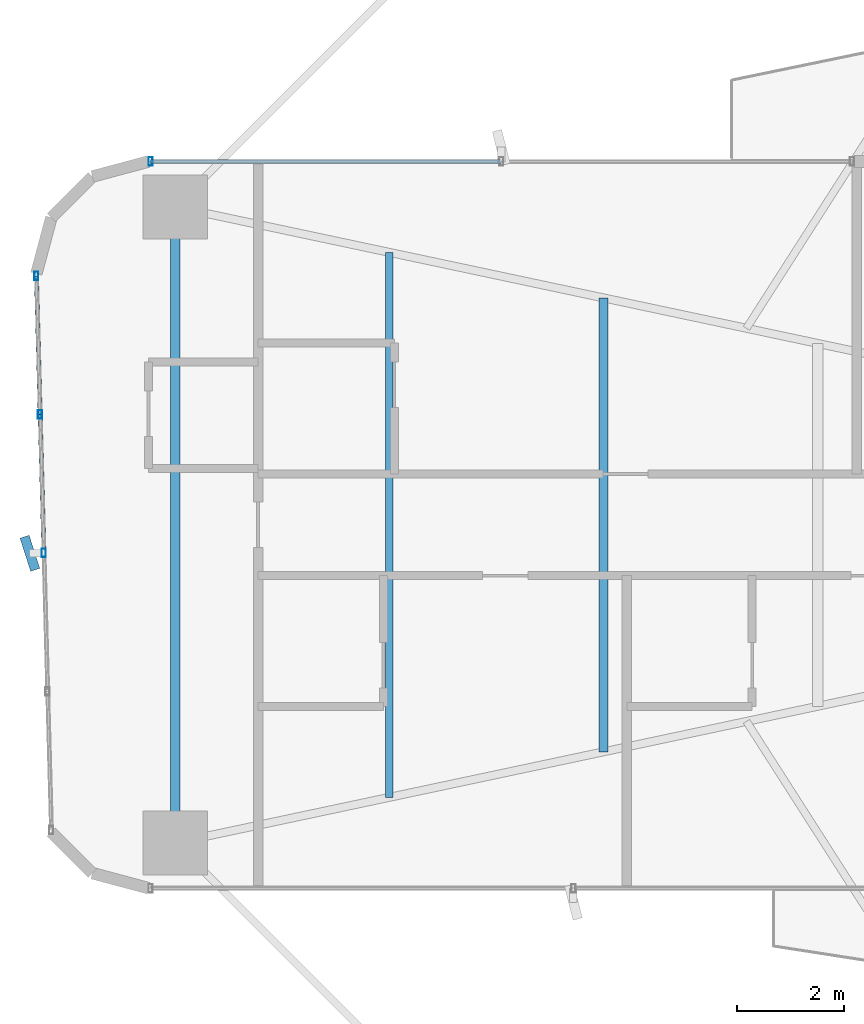
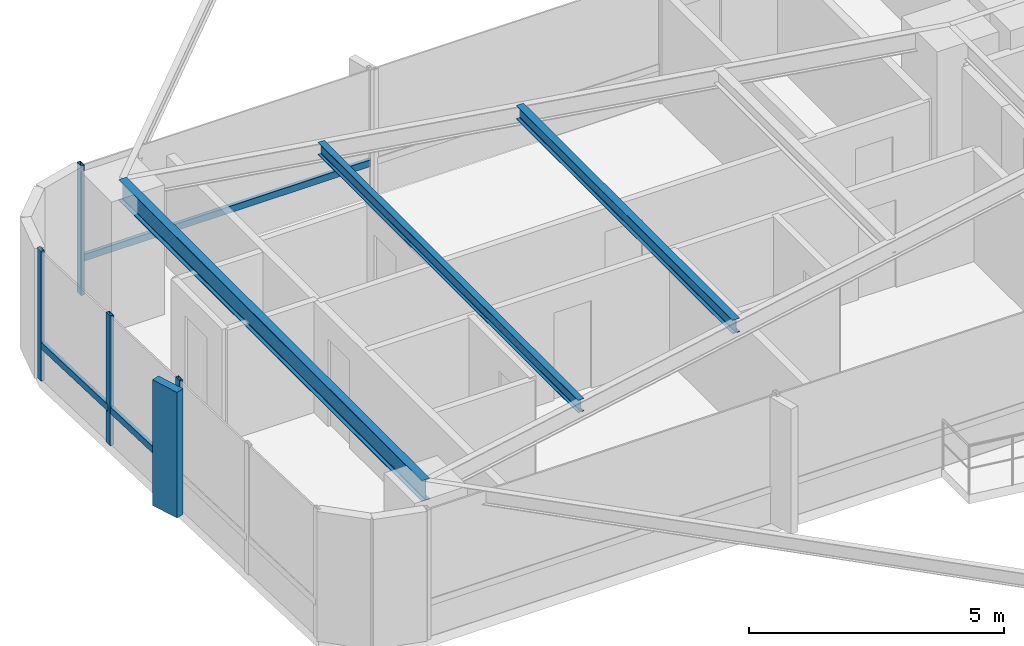
# One storey, part 8 of 26: 8 members, 3 beams, 2 elements without a shape of their own.
"""IFC4 building model written with IfcOpenShell, lengths in metres."""

from ifc_helpers import new_model, si_unit, direction, frame, origin, origin_2d, place, context, subcontext, project, spatial, rectangle, hollow_rectangle, i_section, extrude, source, transform, mapped, material, material_profile, profile_set, type_object, element, aggregate, save


model = new_model("IFC4")

# Units and contexts
model_context = context("Model", 3, precision=1e-05, world=origin(), true_north=direction((0.0, 1.0)))
body_context = subcontext(model_context, "Body", "Model", "MODEL_VIEW")
ifc_project = project(units=[si_unit("LENGTHUNIT", "METRE"), si_unit("AREAUNIT", "SQUARE_METRE"), si_unit("VOLUMEUNIT", "CUBIC_METRE"), si_unit("PLANEANGLEUNIT", "RADIAN"), si_unit("MASSUNIT", "GRAM", prefix="KILO")], contexts=[model_context])

# Site, building, storey
site_placement = place(None, origin())
site = spatial("IfcSite", under=ifc_project, at=site_placement, CompositionType="ELEMENT")
building_placement = place(site_placement, origin())
building = spatial("IfcBuilding", under=site, at=building_placement, Name="Sahyath Konkavel Grand Hotel", CompositionType="ELEMENT")
storey_placement = place(building_placement, frame((0.0, 0.0, 51.050048828125)))
storey = spatial("IfcBuildingStorey", under=building, at=storey_placement, Name="L13", CompositionType="ELEMENT", Elevation=51.050048828125)

# Beams
ifc_material_1 = material(Name="Steel E350", Category="steel")
ifc_material_profile_1 = material_profile(ifc_material_1, i_section(OverallWidth=0.179931640625, OverallDepth=0.5, WebThickness=0.01025390625, FlangeThickness=0.01708984375, FilletRadius=0.01708984375, at=origin_2d()), Name="ISMB 500")
ifc_profile_set_1 = profile_set([ifc_material_profile_1], Name="Steel E350")
beam_type_1 = type_object("IfcBeamType", Name="BM-ISMB500", PredefinedType="BEAM", material=ifc_profile_set_1)
shared_shape_1 = source(origin(), body_context, "Body", "SweptSolid", [
    extrude(i_section(OverallWidth=0.179931640625, OverallDepth=0.5, WebThickness=0.01025390625, FlangeThickness=0.01708984375, FilletRadius=0.01708984375, at=origin_2d()), origin(), (0.0, 0.0, 1.0), 11.89990234375),
])
beam_1_placement = place(storey_placement, frame((-22.199951171875, 5.949951171875, 2.85986328125), z_axis=(0.0, -1.0, 0.0), x_axis=(1.0, 0.0, 0.0)))
element("IfcBeam", 1, at=beam_1_placement, inside=storey, type_object=beam_type_1, Name="L13 Wing Tip Edge Beam W", PredefinedType="BEAM", context=body_context, shape_type="MappedRepresentation", body=[
    mapped(shared_shape_1, transform((0.0, 0.0, 0.0), scale=1.0)),
])
ifc_material_profile_2 = material_profile(ifc_material_1, i_section(OverallWidth=0.1650390625, OverallDepth=0.324951171875, WebThickness=0.007080078125, FlangeThickness=0.009765625, FilletRadius=0.014892578125, at=origin_2d()), Name="ISLB 325")
ifc_profile_set_2 = profile_set([ifc_material_profile_2], Name="Steel E350")
beam_type_2 = type_object("IfcBeamType", Name="BM-ISLB325", PredefinedType="BEAM", material=ifc_profile_set_2)
shared_shape_2 = source(origin(), body_context, "Body", "SweptSolid", [
    extrude(i_section(OverallWidth=0.1650390625, OverallDepth=0.324951171875, WebThickness=0.007080078125, FlangeThickness=0.009765625, FilletRadius=0.014892578125, at=origin_2d()), origin(), (0.0, 0.0, 1.0), 8.4921875),
])
beam_2_placement = place(storey_placement, frame((-14.18408203125, 4.24609375, 2.947509765625), z_axis=(0.0, -1.0, 0.0), x_axis=(1.0, 0.0, 0.0)))
element("IfcBeam", 2, at=beam_2_placement, inside=storey, type_object=beam_type_2, Name="L13 Secondary Floor Beam W-2", PredefinedType="BEAM", context=body_context, shape_type="MappedRepresentation", body=[
    mapped(shared_shape_2, transform((0.0, 0.0, 0.0), scale=1.0)),
])
ifc_material_profile_3 = material_profile(ifc_material_1, i_section(OverallWidth=0.139892578125, OverallDepth=0.300048828125, WebThickness=0.0078125, FlangeThickness=0.01318359375, FilletRadius=0.013916015625, at=origin_2d()), Name="ISMB 300")
ifc_profile_set_3 = profile_set([ifc_material_profile_3], Name="Steel E350")
beam_type_3 = type_object("IfcBeamType", Name="BM-ISMB300", PredefinedType="BEAM", material=ifc_profile_set_3)
shared_shape_3 = source(origin(), body_context, "Body", "SweptSolid", [
    extrude(i_section(OverallWidth=0.139892578125, OverallDepth=0.300048828125, WebThickness=0.0078125, FlangeThickness=0.01318359375, FilletRadius=0.013916015625, at=origin_2d()), origin(), (0.0, 0.0, 1.0), 10.19580078125),
])
beam_3_placement = place(storey_placement, frame((-18.19189453125, 5.097900390625, 2.9599609375), z_axis=(0.0, -1.0, 0.0), x_axis=(1.0, 0.0, 0.0)))
element("IfcBeam", 3, at=beam_3_placement, inside=storey, type_object=beam_type_3, Name="L13 Secondary Floor Beam W-3", PredefinedType="BEAM", context=body_context, shape_type="MappedRepresentation", body=[
    mapped(shared_shape_3, transform((0.0, 0.0, 0.0), scale=1.0)),
])

# Curtain wall, member
ifc_material_2 = material(Name="Anodised Bronze Aluminium & Low-E Glazing", Category="aluminium")
curtain_wall_type = type_object("IfcCurtainWallType", Name="CW-ZONE1", PredefinedType="NOTDEFINED", material=ifc_material_2)
curtain_wall_1_placement = place(storey_placement, origin())
curtain_wall_1 = element("IfcCurtainWall", 4, at=curtain_wall_1_placement, inside=storey, type_object=curtain_wall_type, Name="L13 Unitised Curtain Wall F16", PredefinedType="NOTDEFINED")
ifc_material_3 = material(Name="Anodised Bronze Aluminium", Category="aluminium")
ifc_material_profile_4 = material_profile(ifc_material_3, hollow_rectangle(XDim=0.080078125, YDim=0.159912109375, WallThickness=0.006103515625, at=origin_2d()), Name="RHS 160x80x6")
ifc_profile_set_4 = profile_set([ifc_material_profile_4], Name="Anodised Bronze Aluminium")
member_type_1 = type_object("IfcMemberType", Name="CW-MUL-160", PredefinedType="MULLION", material=ifc_profile_set_4)
shared_shape_4 = source(origin(), body_context, "Body", "SweptSolid", [
    extrude(hollow_rectangle(XDim=0.080078125, YDim=0.159912109375, WallThickness=0.006103515625, at=origin_2d()), origin(), (0.0, 0.0, 1.0), 3.10986328125),
])
member_1_placement = place(storey_placement, frame((-22.659912109375, 6.800048828125, 0.0), z_axis=(0.0, 0.0, 1.0), x_axis=(1.0, 0.0, 0.0)))
member_1 = element("IfcMember", 5, at=member_1_placement, type_object=member_type_1, Name="L13 Curtain Wall Mullion F16-2", PredefinedType="MULLION", context=body_context, shape_type="MappedRepresentation", body=[
    mapped(shared_shape_4, transform((0.0, 0.0, 0.0), scale=1.0)),
])

# Curtain wall, members
curtain_wall_2_placement = place(storey_placement, origin())
curtain_wall_2 = element("IfcCurtainWall", 6, at=curtain_wall_2_placement, inside=storey, type_object=curtain_wall_type, Name="L13 Unitised Curtain Wall F20", PredefinedType="NOTDEFINED")
member_2_placement = place(storey_placement, frame((-24.798828125, 4.659912109375, 0.0), z_axis=(0.0, 0.0, 1.0), x_axis=(1.0, 0.0, 0.0)))
member_2 = element("IfcMember", 7, at=member_2_placement, type_object=member_type_1, Name="L13 Curtain Wall Mullion F20-0", PredefinedType="MULLION", context=body_context, shape_type="MappedRepresentation", body=[
    mapped(shared_shape_4, transform((0.0, 0.0, 0.0), scale=1.0)),
])
member_3_placement = place(storey_placement, frame((-24.72900390625, 2.0673828125, 0.0), z_axis=(0.0, 0.0, 1.0), x_axis=(1.0, 0.0, 0.0)))
member_3 = element("IfcMember", 8, at=member_3_placement, type_object=member_type_1, Name="L13 Curtain Wall Mullion F20-1", PredefinedType="MULLION", context=body_context, shape_type="MappedRepresentation", body=[
    mapped(shared_shape_4, transform((0.0, 0.0, 0.0), scale=1.0)),
])
member_4_placement = place(storey_placement, frame((-24.6591796875, -0.52490234375, 0.0), z_axis=(0.0, 0.0, 1.0), x_axis=(1.0, 0.0, 0.0)))
member_4 = element("IfcMember", 9, at=member_4_placement, type_object=member_type_1, Name="L13 Curtain Wall Mullion F20-2", PredefinedType="MULLION", context=body_context, shape_type="MappedRepresentation", body=[
    mapped(shared_shape_4, transform((0.0, 0.0, 0.0), scale=1.0)),
])
ifc_material_4 = material(Name="Warm Buff Sandstone Cladding on Concrete C50/60", Category="masonry")
ifc_material_profile_5 = material_profile(ifc_material_4, rectangle(XDim=0.179931640625, YDim=0.64990234375, at=origin_2d()), Name="FIN 180x650")
ifc_profile_set_5 = profile_set([ifc_material_profile_5], Name="Warm Buff Sandstone Cladding on Concrete C50/60")
member_type_2 = type_object("IfcMemberType", Name="FIN-SANDSTONE-650", PredefinedType="MULLION", material=ifc_profile_set_5)
shared_shape_5 = source(origin(), body_context, "Body", "SweptSolid", [
    extrude(rectangle(XDim=0.179931640625, YDim=0.64990234375, at=origin_2d()), origin(), (0.0, 0.0, 1.0), 3.010009765625),
])
member_5_placement = place(storey_placement, frame((-24.919189453125, -0.531982421875, 0.050048828125), z_axis=(0.0, 0.0, 1.0), x_axis=(0.951808747363, 0.306692204733, 0.0)))
member_5 = element("IfcMember", 10, at=member_5_placement, type_object=member_type_2, Name="L13 Sandstone Vertical Solar Fin FIN F20-2", PredefinedType="MULLION", context=body_context, shape_type="MappedRepresentation", body=[
    mapped(shared_shape_5, transform((0.0, 0.0, 0.0), scale=1.0)),
])
ifc_material_profile_6 = material_profile(ifc_material_3, hollow_rectangle(XDim=0.080078125, YDim=0.159912109375, WallThickness=0.006103515625, at=origin_2d()), Name="RHS 160x80x6")
ifc_profile_set_6 = profile_set([ifc_material_profile_6], Name="Anodised Bronze Aluminium")
member_type_3 = type_object("IfcMemberType", Name="CW-TRN-160", PredefinedType="USERDEFINED", material=ifc_profile_set_6)
shared_shape_6 = source(origin(), body_context, "Body", "SweptSolid", [
    extrude(hollow_rectangle(XDim=0.080078125, YDim=0.159912109375, WallThickness=0.006103515625, at=origin_2d()), origin(), (0.0, 0.0, 1.0), 2.593505859375),
])
member_6_placement = place(storey_placement, frame((-24.798828125, 4.659912109375, 0.849853515625), z_axis=(0.026923093252, -0.999637507825, 0.0), x_axis=(0.999637507825, 0.026923093252, 0.0)))
member_6 = element("IfcMember", 11, at=member_6_placement, type_object=member_type_3, Name="L13 Curtain Wall Transom F20-0-spandrel", ObjectType="TRANSOM", PredefinedType="USERDEFINED", context=body_context, shape_type="MappedRepresentation", body=[
    mapped(shared_shape_6, transform((0.0, 0.0, 0.0), scale=1.0)),
])
shared_shape_7 = source(origin(), body_context, "Body", "SweptSolid", [
    extrude(hollow_rectangle(XDim=0.080078125, YDim=0.159912109375, WallThickness=0.006103515625, at=origin_2d()), origin(), (0.0, 0.0, 1.0), 2.59326171875),
])
member_7_placement = place(storey_placement, frame((-24.72900390625, 2.0673828125, 0.849853515625), z_axis=(0.026925627022, -0.99963743958, 0.0), x_axis=(0.99963743958, 0.026925627022, 0.0)))
member_7 = element("IfcMember", 12, at=member_7_placement, type_object=member_type_3, Name="L13 Curtain Wall Transom F20-1-spandrel", ObjectType="TRANSOM", PredefinedType="USERDEFINED", context=body_context, shape_type="MappedRepresentation", body=[
    mapped(shared_shape_7, transform((0.0, 0.0, 0.0), scale=1.0)),
])
aggregate(curtain_wall_2, [member_2, member_3, member_4, member_5, member_6, member_7])

# Member
shared_shape_8 = source(origin(), body_context, "Body", "SweptSolid", [
    extrude(hollow_rectangle(XDim=0.080078125, YDim=0.159912109375, WallThickness=0.006103515625, at=origin_2d()), origin(), (0.0, 0.0, 1.0), 6.559814453125),
])
member_8_placement = place(storey_placement, frame((-16.10009765625, 6.800048828125, 0.849853515625), z_axis=(-1.0, 0.0, 0.0), x_axis=(0.0, -1.0, 0.0)))
member_8 = element("IfcMember", 13, at=member_8_placement, type_object=member_type_3, Name="L13 Curtain Wall Transom F16-1-spandrel", ObjectType="TRANSOM", PredefinedType="USERDEFINED", context=body_context, shape_type="MappedRepresentation", body=[
    mapped(shared_shape_8, transform((0.0, 0.0, 0.0), scale=1.0)),
])

aggregate(curtain_wall_1, [member_1, member_8])

save(model, "model.ifc")
